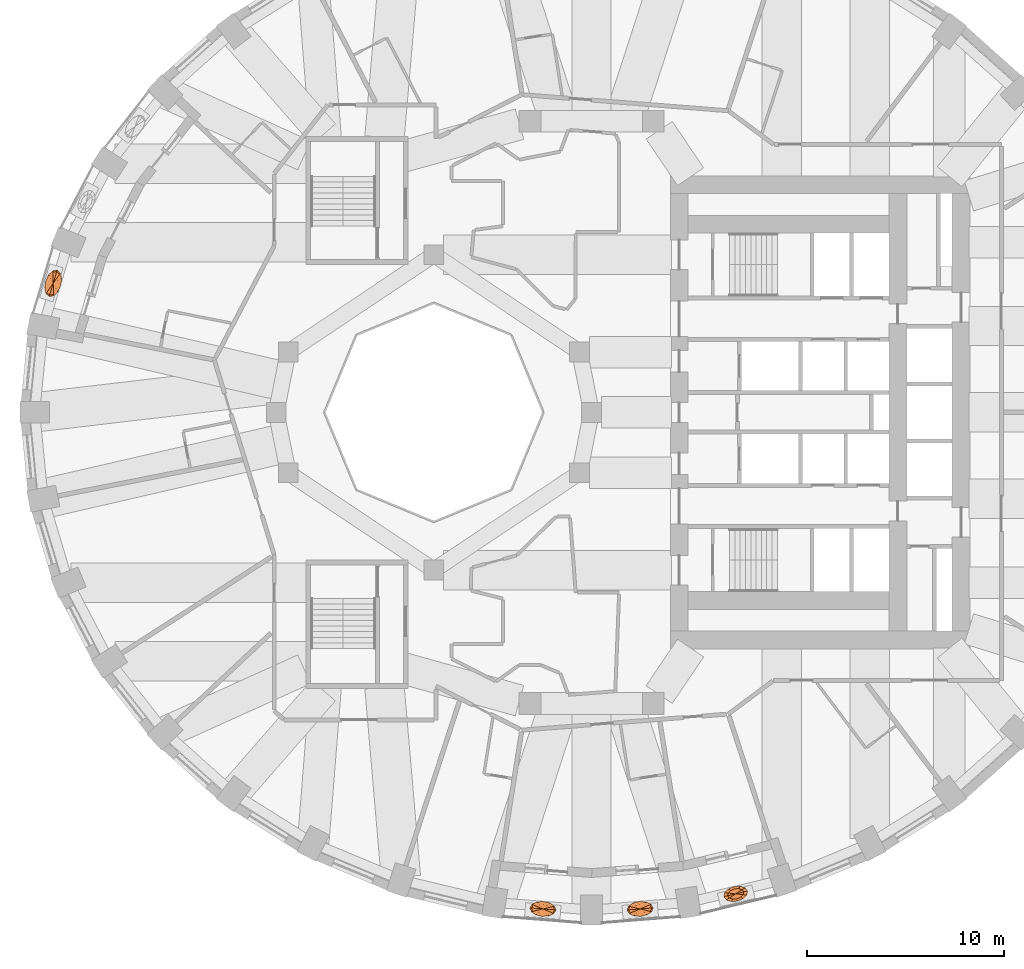
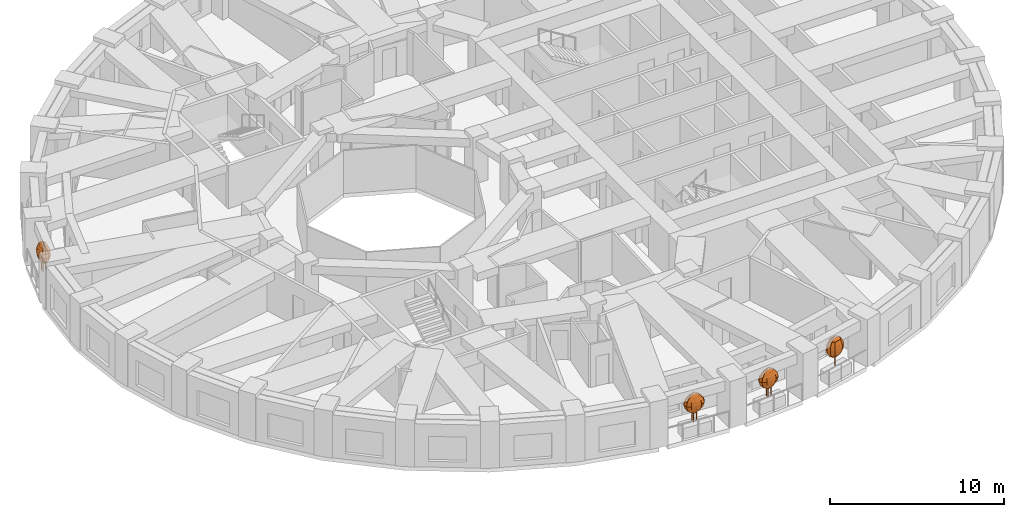
# One storey, part 12 of 13: 4 geographic elements.
"""IFC4 building model written with IfcOpenShell, lengths in metres."""

from ifc_helpers import new_model, si_unit, direction, frame, origin, place, context, subcontext, project, spatial, faceted_brep, material, constituent, constituent_set, type_object, element, save


model = new_model("IFC4")

# Units and contexts
model_context = context("Model", 3, precision=1e-05, world=origin(), true_north=direction((0.0, 1.0)))
body_context = subcontext(model_context, "Body", "Model", "MODEL_VIEW")
ifc_project = project(units=[si_unit("LENGTHUNIT", "METRE"), si_unit("AREAUNIT", "SQUARE_METRE"), si_unit("VOLUMEUNIT", "CUBIC_METRE"), si_unit("PLANEANGLEUNIT", "RADIAN"), si_unit("MASSUNIT", "GRAM", prefix="KILO")], contexts=[model_context])

# Site, building, storey
site_placement = place(None, origin())
site = spatial("IfcSite", under=ifc_project, at=site_placement, CompositionType="ELEMENT")
building_placement = place(site_placement, origin())
building = spatial("IfcBuilding", under=site, at=building_placement, Name="Taillehof Tower", CompositionType="ELEMENT")
storey_placement = place(building_placement, frame((0.0, 0.0, 38.199951171875)))
storey = spatial("IfcBuildingStorey", under=building, at=storey_placement, Name="L09", CompositionType="ELEMENT", Elevation=38.199951171875)

# Geographic elements
ifc_material_1 = material(Name="Tree bark", Category="timber")
ifc_constituent_1 = constituent(ifc_material_1, Name="Trunk", Category="timber")
ifc_material_2 = material(Name="Tree foliage")
ifc_constituent_2 = constituent(ifc_material_2, Name="Crown")
ifc_constituent_set_1 = constituent_set(constituents=[ifc_constituent_1, ifc_constituent_2], Name="Tree TR1 Columnar hornbeam")
geographic_element_type_1 = type_object("IfcGeographicElementType", Name="Tree TR1 Columnar hornbeam", PredefinedType="USERDEFINED", material=ifc_constituent_set_1)
geographic_element_1_placement = place(storey_placement, frame((7.31640625, -24.430419921875, 0.75)))
element("IfcGeographicElement", 1, at=geographic_element_1_placement, inside=storey, type_object=geographic_element_type_1, Name="Tree TR1 Columnar hornbeam", ObjectType="TREE", PredefinedType="USERDEFINED", context=body_context, shape_type="Brep", body=[
    faceted_brep([(0.030029296875, 0.0, 0.0), (0.021240234375, 0.021240234375, 0.0), (0.021240234375, 0.021240234375, 1.092529296875), (0.030029296875, 0.0, 1.092529296875), (0.0, 0.030029296875, 0.0), (0.0, 0.030029296875, 1.092529296875), (-0.021240234375, 0.021240234375, 0.0), (-0.021240234375, 0.021240234375, 1.092529296875), (-0.030029296875, 0.0, 0.0), (-0.030029296875, 0.0, 1.092529296875), (-0.021240234375, -0.021240234375, 0.0), (-0.021240234375, -0.021240234375, 1.092529296875), (0.0, -0.030029296875, 0.0), (0.0, -0.030029296875, 1.092529296875), (0.021240234375, -0.021240234375, 0.0), (0.021240234375, -0.021240234375, 1.092529296875)], [[[0, 1, 2, 3]], [[1, 4, 5, 2]], [[4, 6, 7, 5]], [[6, 8, 9, 7]], [[8, 10, 11, 9]], [[10, 12, 13, 11]], [[12, 14, 15, 13]], [[14, 0, 3, 15]], [[14, 12, 10, 8, 6, 4, 1, 0]], [[3, 2, 5, 7, 9, 11, 13, 15]]]),
    faceted_brep([(0.0, 0.0, 0.550048828125), (0.324951171875, 0.211181640625, 0.808349609375), (0.41015625, 0.09814453125, 0.808349609375), (0.15283203125, 0.267822265625, 0.808349609375), (-0.060546875, 0.25244140625, 0.808349609375), (-0.25732421875, 0.16943359375, 0.808349609375), (-0.385498046875, 0.041015625, 0.808349609375), (-0.41015625, -0.09814453125, 0.808349609375), (-0.324951171875, -0.211181640625, 0.808349609375), (-0.15283203125, -0.267822265625, 0.808349609375), (0.060546875, -0.25244140625, 0.808349609375), (0.25732421875, -0.16943359375, 0.808349609375), (0.385498046875, -0.041015625, 0.808349609375), (0.439697265625, 0.285888671875, 1.066650390625), (0.554931640625, 0.1328125, 1.066650390625), (0.20654296875, 0.362060546875, 1.066650390625), (-0.081787109375, 0.341552734375, 1.066650390625), (-0.34814453125, 0.229248046875, 1.066650390625), (-0.521484375, 0.0556640625, 1.066650390625), (-0.554931640625, -0.1328125, 1.066650390625), (-0.439697265625, -0.285888671875, 1.066650390625), (-0.20654296875, -0.362060546875, 1.066650390625), (0.081787109375, -0.341552734375, 1.066650390625), (0.34814453125, -0.229248046875, 1.066650390625), (0.521484375, -0.0556640625, 1.066650390625), (0.475830078125, 0.309326171875, 1.324951171875), (0.6005859375, 0.143798828125, 1.324951171875), (0.2236328125, 0.391845703125, 1.324951171875), (-0.088623046875, 0.36962890625, 1.324951171875), (-0.376953125, 0.248046875, 1.324951171875), (-0.564208984375, 0.060302734375, 1.324951171875), (-0.6005859375, -0.143798828125, 1.324951171875), (-0.475830078125, -0.309326171875, 1.324951171875), (-0.2236328125, -0.391845703125, 1.324951171875), (0.088623046875, -0.36962890625, 1.324951171875), (0.376953125, -0.248046875, 1.324951171875), (0.564208984375, -0.060302734375, 1.324951171875), (0.439697265625, 0.285888671875, 1.583251953125), (0.554931640625, 0.1328125, 1.583251953125), (0.20654296875, 0.362060546875, 1.583251953125), (-0.081787109375, 0.341552734375, 1.583251953125), (-0.34814453125, 0.229248046875, 1.583251953125), (-0.521484375, 0.0556640625, 1.583251953125), (-0.554931640625, -0.1328125, 1.583251953125), (-0.439697265625, -0.285888671875, 1.583251953125), (-0.20654296875, -0.362060546875, 1.583251953125), (0.081787109375, -0.341552734375, 1.583251953125), (0.34814453125, -0.229248046875, 1.583251953125), (0.521484375, -0.0556640625, 1.583251953125), (0.324951171875, 0.211181640625, 1.841552734375), (0.41015625, 0.09814453125, 1.841552734375), (0.15283203125, 0.267822265625, 1.841552734375), (-0.060546875, 0.25244140625, 1.841552734375), (-0.25732421875, 0.16943359375, 1.841552734375), (-0.385498046875, 0.041015625, 1.841552734375), (-0.41015625, -0.09814453125, 1.841552734375), (-0.324951171875, -0.211181640625, 1.841552734375), (-0.15283203125, -0.267822265625, 1.841552734375), (0.060546875, -0.25244140625, 1.841552734375), (0.25732421875, -0.16943359375, 1.841552734375), (0.385498046875, -0.041015625, 1.841552734375), (0.0, 0.0, 2.10009765625)], [[[0, 1, 2]], [[0, 3, 1]], [[0, 4, 3]], [[0, 5, 4]], [[0, 6, 5]], [[0, 7, 6]], [[0, 8, 7]], [[0, 9, 8]], [[0, 10, 9]], [[0, 11, 10]], [[0, 12, 11]], [[0, 2, 12]], [[2, 1, 13, 14]], [[1, 3, 15, 13]], [[3, 4, 16, 15]], [[4, 5, 17, 16]], [[5, 6, 18, 17]], [[6, 7, 19, 18]], [[7, 8, 20, 19]], [[8, 9, 21, 20]], [[9, 10, 22, 21]], [[10, 11, 23, 22]], [[11, 12, 24, 23]], [[12, 2, 14, 24]], [[14, 13, 25, 26]], [[13, 15, 27, 25]], [[15, 16, 28, 27]], [[16, 17, 29, 28]], [[17, 18, 30, 29]], [[18, 19, 31, 30]], [[19, 20, 32, 31]], [[20, 21, 33, 32]], [[21, 22, 34, 33]], [[22, 23, 35, 34]], [[23, 24, 36, 35]], [[24, 14, 26, 36]], [[26, 25, 37, 38]], [[25, 27, 39, 37]], [[27, 28, 40, 39]], [[28, 29, 41, 40]], [[29, 30, 42, 41]], [[30, 31, 43, 42]], [[31, 32, 44, 43]], [[32, 33, 45, 44]], [[33, 34, 46, 45]], [[34, 35, 47, 46]], [[35, 36, 48, 47]], [[36, 26, 38, 48]], [[38, 37, 49, 50]], [[37, 39, 51, 49]], [[39, 40, 52, 51]], [[40, 41, 53, 52]], [[41, 42, 54, 53]], [[42, 43, 55, 54]], [[43, 44, 56, 55]], [[44, 45, 57, 56]], [[45, 46, 58, 57]], [[46, 47, 59, 58]], [[47, 48, 60, 59]], [[48, 38, 50, 60]], [[50, 49, 61]], [[49, 51, 61]], [[51, 52, 61]], [[52, 53, 61]], [[53, 54, 61]], [[54, 55, 61]], [[55, 56, 61]], [[56, 57, 61]], [[57, 58, 61]], [[58, 59, 61]], [[59, 60, 61]], [[60, 50, 61]]]),
])
ifc_material_3 = material(Name="Tree bark", Category="timber")
ifc_constituent_3 = constituent(ifc_material_3, Name="Trunk", Category="timber")
ifc_material_4 = material(Name="Tree foliage")
ifc_constituent_4 = constituent(ifc_material_4, Name="Crown")
ifc_constituent_set_2 = constituent_set(constituents=[ifc_constituent_3, ifc_constituent_4], Name="Tree TR3 Multi-stem serviceberry")
geographic_element_type_2 = type_object("IfcGeographicElementType", Name="Tree TR3 Multi-stem serviceberry", PredefinedType="USERDEFINED", material=ifc_constituent_set_2)
geographic_element_2_placement = place(storey_placement, frame((-27.314697265625, 6.548583984375, 0.75)))
element("IfcGeographicElement", 2, at=geographic_element_2_placement, inside=storey, type_object=geographic_element_type_2, Name="Tree TR3 Multi-stem serviceberry", ObjectType="TREE", PredefinedType="USERDEFINED", context=body_context, shape_type="Brep", body=[
    faceted_brep([(0.203857421875, 0.0, 0.0), (0.1953125, 0.0205078125, 0.0), (0.1953125, 0.0205078125, 1.04248046875), (0.203857421875, 0.0, 1.04248046875), (0.175048828125, 0.02880859375, 0.0), (0.175048828125, 0.02880859375, 1.04248046875), (0.154541015625, 0.0205078125, 0.0), (0.154541015625, 0.0205078125, 1.04248046875), (0.146240234375, 0.0, 0.0), (0.146240234375, 0.0, 1.04248046875), (0.154541015625, -0.0205078125, 0.0), (0.154541015625, -0.0205078125, 1.04248046875), (0.175048828125, -0.02880859375, 0.0), (0.175048828125, -0.02880859375, 1.04248046875), (0.1953125, -0.0205078125, 0.0), (0.1953125, -0.0205078125, 1.04248046875)], [[[0, 1, 2, 3]], [[1, 4, 5, 2]], [[4, 6, 7, 5]], [[6, 8, 9, 7]], [[8, 10, 11, 9]], [[10, 12, 13, 11]], [[12, 14, 15, 13]], [[14, 0, 3, 15]], [[14, 12, 10, 8, 6, 4, 1, 0]], [[3, 2, 5, 7, 9, 11, 13, 15]]]),
    faceted_brep([(-0.05859375, 0.086669921875, 0.0), (-0.067138671875, 0.10693359375, 0.0), (-0.067138671875, 0.10693359375, 1.04248046875), (-0.05859375, 0.086669921875, 1.04248046875), (-0.08740234375, 0.115478515625, 0.0), (-0.08740234375, 0.115478515625, 1.04248046875), (-0.10791015625, 0.10693359375, 0.0), (-0.10791015625, 0.10693359375, 1.04248046875), (-0.116455078125, 0.086669921875, 0.0), (-0.116455078125, 0.086669921875, 1.04248046875), (-0.10791015625, 0.066162109375, 0.0), (-0.10791015625, 0.066162109375, 1.04248046875), (-0.08740234375, 0.0576171875, 0.0), (-0.08740234375, 0.0576171875, 1.04248046875), (-0.067138671875, 0.066162109375, 0.0), (-0.067138671875, 0.066162109375, 1.04248046875)], [[[0, 1, 2, 3]], [[1, 4, 5, 2]], [[4, 6, 7, 5]], [[6, 8, 9, 7]], [[8, 10, 11, 9]], [[10, 12, 13, 11]], [[12, 14, 15, 13]], [[14, 0, 3, 15]], [[14, 12, 10, 8, 6, 4, 1, 0]], [[3, 2, 5, 7, 9, 11, 13, 15]]]),
    faceted_brep([(-0.05859375, -0.086669921875, 0.0), (-0.067138671875, -0.066162109375, 0.0), (-0.067138671875, -0.066162109375, 1.04248046875), (-0.05859375, -0.086669921875, 1.04248046875), (-0.08740234375, -0.0576171875, 0.0), (-0.08740234375, -0.0576171875, 1.04248046875), (-0.10791015625, -0.066162109375, 0.0), (-0.10791015625, -0.066162109375, 1.04248046875), (-0.116455078125, -0.086669921875, 0.0), (-0.116455078125, -0.086669921875, 1.04248046875), (-0.10791015625, -0.10693359375, 0.0), (-0.10791015625, -0.10693359375, 1.04248046875), (-0.08740234375, -0.115478515625, 0.0), (-0.08740234375, -0.115478515625, 1.04248046875), (-0.067138671875, -0.10693359375, 0.0), (-0.067138671875, -0.10693359375, 1.04248046875)], [[[0, 1, 2, 3]], [[1, 4, 5, 2]], [[4, 6, 7, 5]], [[6, 8, 9, 7]], [[8, 10, 11, 9]], [[10, 12, 13, 11]], [[12, 14, 15, 13]], [[14, 0, 3, 15]], [[14, 12, 10, 8, 6, 4, 1, 0]], [[3, 2, 5, 7, 9, 11, 13, 15]]]),
    faceted_brep([(0.0, 0.0, 0.5), (0.010009765625, -0.366455078125, 0.75830078125), (-0.115478515625, -0.385009765625, 0.75830078125), (0.1328125, -0.249755859375, 0.75830078125), (0.219970703125, -0.06591796875, 0.75830078125), (0.248291015625, 0.135498046875, 0.75830078125), (0.2099609375, 0.300537109375, 0.75830078125), (0.115478515625, 0.385009765625, 0.75830078125), (-0.010009765625, 0.366455078125, 0.75830078125), (-0.1328125, 0.249755859375, 0.75830078125), (-0.219970703125, 0.06591796875, 0.75830078125), (-0.248291015625, -0.135498046875, 0.75830078125), (-0.2099609375, -0.300537109375, 0.75830078125), (0.015625, -0.56884765625, 1.0166015625), (-0.17919921875, -0.59765625, 1.0166015625), (0.206298828125, -0.387451171875, 1.0166015625), (0.341552734375, -0.102294921875, 1.0166015625), (0.38525390625, 0.210205078125, 1.0166015625), (0.325927734375, 0.46630859375, 1.0166015625), (0.17919921875, 0.59765625, 1.0166015625), (-0.015625, 0.56884765625, 1.0166015625), (-0.206298828125, 0.387451171875, 1.0166015625), (-0.341552734375, 0.102294921875, 1.0166015625), (-0.38525390625, -0.210205078125, 1.0166015625), (-0.325927734375, -0.46630859375, 1.0166015625), (0.017578125, -0.63818359375, 1.27490234375), (-0.200927734375, -0.67041015625, 1.27490234375), (0.2314453125, -0.434814453125, 1.27490234375), (0.383056640625, -0.11474609375, 1.27490234375), (0.432373046875, 0.23583984375, 1.27490234375), (0.36572265625, 0.523193359375, 1.27490234375), (0.200927734375, 0.67041015625, 1.27490234375), (-0.017578125, 0.63818359375, 1.27490234375), (-0.2314453125, 0.434814453125, 1.27490234375), (-0.383056640625, 0.11474609375, 1.27490234375), (-0.432373046875, -0.23583984375, 1.27490234375), (-0.36572265625, -0.523193359375, 1.27490234375), (0.015625, -0.56884765625, 1.533447265625), (-0.17919921875, -0.59765625, 1.533447265625), (0.206298828125, -0.387451171875, 1.533447265625), (0.341552734375, -0.102294921875, 1.533447265625), (0.38525390625, 0.210205078125, 1.533447265625), (0.325927734375, 0.46630859375, 1.533447265625), (0.17919921875, 0.59765625, 1.533447265625), (-0.015625, 0.56884765625, 1.533447265625), (-0.206298828125, 0.387451171875, 1.533447265625), (-0.341552734375, 0.102294921875, 1.533447265625), (-0.38525390625, -0.210205078125, 1.533447265625), (-0.325927734375, -0.46630859375, 1.533447265625), (0.010009765625, -0.366455078125, 1.791748046875), (-0.115478515625, -0.385009765625, 1.791748046875), (0.1328125, -0.249755859375, 1.791748046875), (0.219970703125, -0.06591796875, 1.791748046875), (0.248291015625, 0.135498046875, 1.791748046875), (0.2099609375, 0.300537109375, 1.791748046875), (0.115478515625, 0.385009765625, 1.791748046875), (-0.010009765625, 0.366455078125, 1.791748046875), (-0.1328125, 0.249755859375, 1.791748046875), (-0.219970703125, 0.06591796875, 1.791748046875), (-0.248291015625, -0.135498046875, 1.791748046875), (-0.2099609375, -0.300537109375, 1.791748046875), (0.0, 0.0, 2.050048828125)], [[[0, 1, 2]], [[0, 3, 1]], [[0, 4, 3]], [[0, 5, 4]], [[0, 6, 5]], [[0, 7, 6]], [[0, 8, 7]], [[0, 9, 8]], [[0, 10, 9]], [[0, 11, 10]], [[0, 12, 11]], [[0, 2, 12]], [[2, 1, 13, 14]], [[1, 3, 15, 13]], [[3, 4, 16, 15]], [[4, 5, 17, 16]], [[5, 6, 18, 17]], [[6, 7, 19, 18]], [[7, 8, 20, 19]], [[8, 9, 21, 20]], [[9, 10, 22, 21]], [[10, 11, 23, 22]], [[11, 12, 24, 23]], [[12, 2, 14, 24]], [[14, 13, 25, 26]], [[13, 15, 27, 25]], [[15, 16, 28, 27]], [[16, 17, 29, 28]], [[17, 18, 30, 29]], [[18, 19, 31, 30]], [[19, 20, 32, 31]], [[20, 21, 33, 32]], [[21, 22, 34, 33]], [[22, 23, 35, 34]], [[23, 24, 36, 35]], [[24, 14, 26, 36]], [[26, 25, 37, 38]], [[25, 27, 39, 37]], [[27, 28, 40, 39]], [[28, 29, 41, 40]], [[29, 30, 42, 41]], [[30, 31, 43, 42]], [[31, 32, 44, 43]], [[32, 33, 45, 44]], [[33, 34, 46, 45]], [[34, 35, 47, 46]], [[35, 36, 48, 47]], [[36, 26, 38, 48]], [[38, 37, 49, 50]], [[37, 39, 51, 49]], [[39, 40, 52, 51]], [[40, 41, 53, 52]], [[41, 42, 54, 53]], [[42, 43, 55, 54]], [[43, 44, 56, 55]], [[44, 45, 57, 56]], [[45, 46, 58, 57]], [[46, 47, 59, 58]], [[47, 48, 60, 59]], [[48, 38, 50, 60]], [[50, 49, 61]], [[49, 51, 61]], [[51, 52, 61]], [[52, 53, 61]], [[53, 54, 61]], [[54, 55, 61]], [[55, 56, 61]], [[56, 57, 61]], [[57, 58, 61]], [[58, 59, 61]], [[59, 60, 61]], [[60, 50, 61]]]),
])
geographic_element_3_placement = place(storey_placement, frame((-2.463623046875, -25.195556640625, 0.75)))
element("IfcGeographicElement", 3, at=geographic_element_3_placement, inside=storey, type_object=geographic_element_type_2, Name="Tree TR3 Multi-stem serviceberry", ObjectType="TREE", PredefinedType="USERDEFINED", context=body_context, shape_type="Brep", body=[
    faceted_brep([(0.195068359375, 0.0, 0.0), (0.186767578125, 0.0205078125, 0.0), (0.186767578125, 0.0205078125, 1.04248046875), (0.195068359375, 0.0, 1.04248046875), (0.166259765625, 0.02880859375, 0.0), (0.166259765625, 0.02880859375, 1.04248046875), (0.145751953125, 0.0205078125, 0.0), (0.145751953125, 0.0205078125, 1.04248046875), (0.137451171875, 0.0, 0.0), (0.137451171875, 0.0, 1.04248046875), (0.145751953125, -0.0205078125, 0.0), (0.145751953125, -0.0205078125, 1.04248046875), (0.166259765625, -0.02880859375, 0.0), (0.166259765625, -0.02880859375, 1.04248046875), (0.186767578125, -0.0205078125, 0.0), (0.186767578125, -0.0205078125, 1.04248046875)], [[[0, 1, 2, 3]], [[1, 4, 5, 2]], [[4, 6, 7, 5]], [[6, 8, 9, 7]], [[8, 10, 11, 9]], [[10, 12, 13, 11]], [[12, 14, 15, 13]], [[14, 0, 3, 15]], [[14, 12, 10, 8, 6, 4, 1, 0]], [[3, 2, 5, 7, 9, 11, 13, 15]]]),
    faceted_brep([(-0.05419921875, 0.082275390625, 0.0), (-0.062744140625, 0.102783203125, 0.0), (-0.062744140625, 0.102783203125, 1.04248046875), (-0.05419921875, 0.082275390625, 1.04248046875), (-0.0830078125, 0.111083984375, 0.0), (-0.0830078125, 0.111083984375, 1.04248046875), (-0.103515625, 0.102783203125, 0.0), (-0.103515625, 0.102783203125, 1.04248046875), (-0.112060546875, 0.082275390625, 0.0), (-0.112060546875, 0.082275390625, 1.04248046875), (-0.103515625, 0.061767578125, 0.0), (-0.103515625, 0.061767578125, 1.04248046875), (-0.0830078125, 0.053466796875, 0.0), (-0.0830078125, 0.053466796875, 1.04248046875), (-0.062744140625, 0.061767578125, 0.0), (-0.062744140625, 0.061767578125, 1.04248046875)], [[[0, 1, 2, 3]], [[1, 4, 5, 2]], [[4, 6, 7, 5]], [[6, 8, 9, 7]], [[8, 10, 11, 9]], [[10, 12, 13, 11]], [[12, 14, 15, 13]], [[14, 0, 3, 15]], [[14, 12, 10, 8, 6, 4, 1, 0]], [[3, 2, 5, 7, 9, 11, 13, 15]]]),
    faceted_brep([(-0.05419921875, -0.082275390625, 0.0), (-0.062744140625, -0.061767578125, 0.0), (-0.062744140625, -0.061767578125, 1.04248046875), (-0.05419921875, -0.082275390625, 1.04248046875), (-0.0830078125, -0.053466796875, 0.0), (-0.0830078125, -0.053466796875, 1.04248046875), (-0.103515625, -0.061767578125, 0.0), (-0.103515625, -0.061767578125, 1.04248046875), (-0.112060546875, -0.082275390625, 0.0), (-0.112060546875, -0.082275390625, 1.04248046875), (-0.103515625, -0.102783203125, 0.0), (-0.103515625, -0.102783203125, 1.04248046875), (-0.0830078125, -0.111083984375, 0.0), (-0.0830078125, -0.111083984375, 1.04248046875), (-0.062744140625, -0.102783203125, 0.0), (-0.062744140625, -0.102783203125, 1.04248046875)], [[[0, 1, 2, 3]], [[1, 4, 5, 2]], [[4, 6, 7, 5]], [[6, 8, 9, 7]], [[8, 10, 11, 9]], [[10, 12, 13, 11]], [[12, 14, 15, 13]], [[14, 0, 3, 15]], [[14, 12, 10, 8, 6, 4, 1, 0]], [[3, 2, 5, 7, 9, 11, 13, 15]]]),
    faceted_brep([(0.0, 0.0, 0.5), (0.33837890625, 0.0830078125, 0.75830078125), (0.380859375, -0.02978515625, 0.75830078125), (0.205078125, 0.173583984375, 0.75830078125), (0.01708984375, 0.217529296875, 0.75830078125), (-0.175537109375, 0.203369140625, 0.75830078125), (-0.3212890625, 0.134521484375, 0.75830078125), (-0.380859375, 0.02978515625, 0.75830078125), (-0.33837890625, -0.0830078125, 0.75830078125), (-0.205078125, -0.173583984375, 0.75830078125), (-0.01708984375, -0.217529296875, 0.75830078125), (0.175537109375, -0.203369140625, 0.75830078125), (0.3212890625, -0.134521484375, 0.75830078125), (0.52490234375, 0.12890625, 1.0166015625), (0.5908203125, -0.046142578125, 1.0166015625), (0.318359375, 0.269287109375, 1.0166015625), (0.0263671875, 0.337646484375, 1.0166015625), (-0.272705078125, 0.3154296875, 1.0166015625), (-0.49853515625, 0.208740234375, 1.0166015625), (-0.5908203125, 0.046142578125, 1.0166015625), (-0.52490234375, -0.12890625, 1.0166015625), (-0.318359375, -0.269287109375, 1.0166015625), (-0.0263671875, -0.337646484375, 1.0166015625), (0.272705078125, -0.3154296875, 1.0166015625), (0.49853515625, -0.208740234375, 1.0166015625), (0.5888671875, 0.14453125, 1.27490234375), (0.6630859375, -0.0517578125, 1.27490234375), (0.357177734375, 0.30224609375, 1.27490234375), (0.029541015625, 0.37890625, 1.27490234375), (-0.305908203125, 0.35400390625, 1.27490234375), (-0.559326171875, 0.234375, 1.27490234375), (-0.6630859375, 0.0517578125, 1.27490234375), (-0.5888671875, -0.14453125, 1.27490234375), (-0.357177734375, -0.30224609375, 1.27490234375), (-0.029541015625, -0.37890625, 1.27490234375), (0.305908203125, -0.35400390625, 1.27490234375), (0.559326171875, -0.234375, 1.27490234375), (0.52490234375, 0.12890625, 1.533447265625), (0.5908203125, -0.046142578125, 1.533447265625), (0.318359375, 0.269287109375, 1.533447265625), (0.0263671875, 0.337646484375, 1.533447265625), (-0.272705078125, 0.3154296875, 1.533447265625), (-0.49853515625, 0.208740234375, 1.533447265625), (-0.5908203125, 0.046142578125, 1.533447265625), (-0.52490234375, -0.12890625, 1.533447265625), (-0.318359375, -0.269287109375, 1.533447265625), (-0.0263671875, -0.337646484375, 1.533447265625), (0.272705078125, -0.3154296875, 1.533447265625), (0.49853515625, -0.208740234375, 1.533447265625), (0.33837890625, 0.0830078125, 1.791748046875), (0.380859375, -0.02978515625, 1.791748046875), (0.205078125, 0.173583984375, 1.791748046875), (0.01708984375, 0.217529296875, 1.791748046875), (-0.175537109375, 0.203369140625, 1.791748046875), (-0.3212890625, 0.134521484375, 1.791748046875), (-0.380859375, 0.02978515625, 1.791748046875), (-0.33837890625, -0.0830078125, 1.791748046875), (-0.205078125, -0.173583984375, 1.791748046875), (-0.01708984375, -0.217529296875, 1.791748046875), (0.175537109375, -0.203369140625, 1.791748046875), (0.3212890625, -0.134521484375, 1.791748046875), (0.0, 0.0, 2.050048828125)], [[[0, 1, 2]], [[0, 3, 1]], [[0, 4, 3]], [[0, 5, 4]], [[0, 6, 5]], [[0, 7, 6]], [[0, 8, 7]], [[0, 9, 8]], [[0, 10, 9]], [[0, 11, 10]], [[0, 12, 11]], [[0, 2, 12]], [[2, 1, 13, 14]], [[1, 3, 15, 13]], [[3, 4, 16, 15]], [[4, 5, 17, 16]], [[5, 6, 18, 17]], [[6, 7, 19, 18]], [[7, 8, 20, 19]], [[8, 9, 21, 20]], [[9, 10, 22, 21]], [[10, 11, 23, 22]], [[11, 12, 24, 23]], [[12, 2, 14, 24]], [[14, 13, 25, 26]], [[13, 15, 27, 25]], [[15, 16, 28, 27]], [[16, 17, 29, 28]], [[17, 18, 30, 29]], [[18, 19, 31, 30]], [[19, 20, 32, 31]], [[20, 21, 33, 32]], [[21, 22, 34, 33]], [[22, 23, 35, 34]], [[23, 24, 36, 35]], [[24, 14, 26, 36]], [[26, 25, 37, 38]], [[25, 27, 39, 37]], [[27, 28, 40, 39]], [[28, 29, 41, 40]], [[29, 30, 42, 41]], [[30, 31, 43, 42]], [[31, 32, 44, 43]], [[32, 33, 45, 44]], [[33, 34, 46, 45]], [[34, 35, 47, 46]], [[35, 36, 48, 47]], [[36, 26, 38, 48]], [[38, 37, 49, 50]], [[37, 39, 51, 49]], [[39, 40, 52, 51]], [[40, 41, 53, 52]], [[41, 42, 54, 53]], [[42, 43, 55, 54]], [[43, 44, 56, 55]], [[44, 45, 57, 56]], [[45, 46, 58, 57]], [[46, 47, 59, 58]], [[47, 48, 60, 59]], [[48, 38, 50, 60]], [[50, 49, 61]], [[49, 51, 61]], [[51, 52, 61]], [[52, 53, 61]], [[53, 54, 61]], [[54, 55, 61]], [[55, 56, 61]], [[56, 57, 61]], [[57, 58, 61]], [[58, 59, 61]], [[59, 60, 61]], [[60, 50, 61]]]),
])
geographic_element_4_placement = place(storey_placement, frame((2.463623046875, -25.195556640625, 0.75)))
element("IfcGeographicElement", 4, at=geographic_element_4_placement, inside=storey, type_object=geographic_element_type_2, Name="Tree TR3 Multi-stem serviceberry", ObjectType="TREE", PredefinedType="USERDEFINED", context=body_context, shape_type="Brep", body=[
    faceted_brep([(0.195068359375, 0.0, 0.0), (0.186767578125, 0.0205078125, 0.0), (0.186767578125, 0.0205078125, 1.04248046875), (0.195068359375, 0.0, 1.04248046875), (0.166259765625, 0.02880859375, 0.0), (0.166259765625, 0.02880859375, 1.04248046875), (0.145751953125, 0.0205078125, 0.0), (0.145751953125, 0.0205078125, 1.04248046875), (0.137451171875, 0.0, 0.0), (0.137451171875, 0.0, 1.04248046875), (0.145751953125, -0.0205078125, 0.0), (0.145751953125, -0.0205078125, 1.04248046875), (0.166259765625, -0.02880859375, 0.0), (0.166259765625, -0.02880859375, 1.04248046875), (0.186767578125, -0.0205078125, 0.0), (0.186767578125, -0.0205078125, 1.04248046875)], [[[0, 1, 2, 3]], [[1, 4, 5, 2]], [[4, 6, 7, 5]], [[6, 8, 9, 7]], [[8, 10, 11, 9]], [[10, 12, 13, 11]], [[12, 14, 15, 13]], [[14, 0, 3, 15]], [[14, 12, 10, 8, 6, 4, 1, 0]], [[3, 2, 5, 7, 9, 11, 13, 15]]]),
    faceted_brep([(-0.05419921875, 0.082275390625, 0.0), (-0.062744140625, 0.102783203125, 0.0), (-0.062744140625, 0.102783203125, 1.04248046875), (-0.05419921875, 0.082275390625, 1.04248046875), (-0.0830078125, 0.111083984375, 0.0), (-0.0830078125, 0.111083984375, 1.04248046875), (-0.103515625, 0.102783203125, 0.0), (-0.103515625, 0.102783203125, 1.04248046875), (-0.112060546875, 0.082275390625, 0.0), (-0.112060546875, 0.082275390625, 1.04248046875), (-0.103515625, 0.061767578125, 0.0), (-0.103515625, 0.061767578125, 1.04248046875), (-0.0830078125, 0.053466796875, 0.0), (-0.0830078125, 0.053466796875, 1.04248046875), (-0.062744140625, 0.061767578125, 0.0), (-0.062744140625, 0.061767578125, 1.04248046875)], [[[0, 1, 2, 3]], [[1, 4, 5, 2]], [[4, 6, 7, 5]], [[6, 8, 9, 7]], [[8, 10, 11, 9]], [[10, 12, 13, 11]], [[12, 14, 15, 13]], [[14, 0, 3, 15]], [[14, 12, 10, 8, 6, 4, 1, 0]], [[3, 2, 5, 7, 9, 11, 13, 15]]]),
    faceted_brep([(-0.05419921875, -0.082275390625, 0.0), (-0.062744140625, -0.061767578125, 0.0), (-0.062744140625, -0.061767578125, 1.04248046875), (-0.05419921875, -0.082275390625, 1.04248046875), (-0.0830078125, -0.053466796875, 0.0), (-0.0830078125, -0.053466796875, 1.04248046875), (-0.103515625, -0.061767578125, 0.0), (-0.103515625, -0.061767578125, 1.04248046875), (-0.112060546875, -0.082275390625, 0.0), (-0.112060546875, -0.082275390625, 1.04248046875), (-0.103515625, -0.102783203125, 0.0), (-0.103515625, -0.102783203125, 1.04248046875), (-0.0830078125, -0.111083984375, 0.0), (-0.0830078125, -0.111083984375, 1.04248046875), (-0.062744140625, -0.102783203125, 0.0), (-0.062744140625, -0.102783203125, 1.04248046875)], [[[0, 1, 2, 3]], [[1, 4, 5, 2]], [[4, 6, 7, 5]], [[6, 8, 9, 7]], [[8, 10, 11, 9]], [[10, 12, 13, 11]], [[12, 14, 15, 13]], [[14, 0, 3, 15]], [[14, 12, 10, 8, 6, 4, 1, 0]], [[3, 2, 5, 7, 9, 11, 13, 15]]]),
    faceted_brep([(0.0, 0.0, 0.5), (0.3212890625, 0.134521484375, 0.75830078125), (0.380859375, 0.02978515625, 0.75830078125), (0.175537109375, 0.203369140625, 0.75830078125), (-0.01708984375, 0.217529296875, 0.75830078125), (-0.205078125, 0.173583984375, 0.75830078125), (-0.33837890625, 0.0830078125, 0.75830078125), (-0.380859375, -0.02978515625, 0.75830078125), (-0.3212890625, -0.134521484375, 0.75830078125), (-0.175537109375, -0.203369140625, 0.75830078125), (0.01708984375, -0.217529296875, 0.75830078125), (0.205078125, -0.173583984375, 0.75830078125), (0.33837890625, -0.0830078125, 0.75830078125), (0.49853515625, 0.208740234375, 1.0166015625), (0.5908203125, 0.046142578125, 1.0166015625), (0.272705078125, 0.3154296875, 1.0166015625), (-0.0263671875, 0.337646484375, 1.0166015625), (-0.318359375, 0.269287109375, 1.0166015625), (-0.52490234375, 0.12890625, 1.0166015625), (-0.5908203125, -0.046142578125, 1.0166015625), (-0.49853515625, -0.208740234375, 1.0166015625), (-0.272705078125, -0.3154296875, 1.0166015625), (0.0263671875, -0.337646484375, 1.0166015625), (0.318359375, -0.269287109375, 1.0166015625), (0.52490234375, -0.12890625, 1.0166015625), (0.559326171875, 0.234375, 1.27490234375), (0.6630859375, 0.0517578125, 1.27490234375), (0.305908203125, 0.35400390625, 1.27490234375), (-0.029541015625, 0.37890625, 1.27490234375), (-0.357177734375, 0.30224609375, 1.27490234375), (-0.5888671875, 0.14453125, 1.27490234375), (-0.6630859375, -0.0517578125, 1.27490234375), (-0.559326171875, -0.234375, 1.27490234375), (-0.305908203125, -0.35400390625, 1.27490234375), (0.029541015625, -0.37890625, 1.27490234375), (0.357177734375, -0.30224609375, 1.27490234375), (0.5888671875, -0.14453125, 1.27490234375), (0.49853515625, 0.208740234375, 1.533447265625), (0.5908203125, 0.046142578125, 1.533447265625), (0.272705078125, 0.3154296875, 1.533447265625), (-0.0263671875, 0.337646484375, 1.533447265625), (-0.318359375, 0.269287109375, 1.533447265625), (-0.52490234375, 0.12890625, 1.533447265625), (-0.5908203125, -0.046142578125, 1.533447265625), (-0.49853515625, -0.208740234375, 1.533447265625), (-0.272705078125, -0.3154296875, 1.533447265625), (0.0263671875, -0.337646484375, 1.533447265625), (0.318359375, -0.269287109375, 1.533447265625), (0.52490234375, -0.12890625, 1.533447265625), (0.3212890625, 0.134521484375, 1.791748046875), (0.380859375, 0.02978515625, 1.791748046875), (0.175537109375, 0.203369140625, 1.791748046875), (-0.01708984375, 0.217529296875, 1.791748046875), (-0.205078125, 0.173583984375, 1.791748046875), (-0.33837890625, 0.0830078125, 1.791748046875), (-0.380859375, -0.02978515625, 1.791748046875), (-0.3212890625, -0.134521484375, 1.791748046875), (-0.175537109375, -0.203369140625, 1.791748046875), (0.01708984375, -0.217529296875, 1.791748046875), (0.205078125, -0.173583984375, 1.791748046875), (0.33837890625, -0.0830078125, 1.791748046875), (0.0, 0.0, 2.050048828125)], [[[0, 1, 2]], [[0, 3, 1]], [[0, 4, 3]], [[0, 5, 4]], [[0, 6, 5]], [[0, 7, 6]], [[0, 8, 7]], [[0, 9, 8]], [[0, 10, 9]], [[0, 11, 10]], [[0, 12, 11]], [[0, 2, 12]], [[2, 1, 13, 14]], [[1, 3, 15, 13]], [[3, 4, 16, 15]], [[4, 5, 17, 16]], [[5, 6, 18, 17]], [[6, 7, 19, 18]], [[7, 8, 20, 19]], [[8, 9, 21, 20]], [[9, 10, 22, 21]], [[10, 11, 23, 22]], [[11, 12, 24, 23]], [[12, 2, 14, 24]], [[14, 13, 25, 26]], [[13, 15, 27, 25]], [[15, 16, 28, 27]], [[16, 17, 29, 28]], [[17, 18, 30, 29]], [[18, 19, 31, 30]], [[19, 20, 32, 31]], [[20, 21, 33, 32]], [[21, 22, 34, 33]], [[22, 23, 35, 34]], [[23, 24, 36, 35]], [[24, 14, 26, 36]], [[26, 25, 37, 38]], [[25, 27, 39, 37]], [[27, 28, 40, 39]], [[28, 29, 41, 40]], [[29, 30, 42, 41]], [[30, 31, 43, 42]], [[31, 32, 44, 43]], [[32, 33, 45, 44]], [[33, 34, 46, 45]], [[34, 35, 47, 46]], [[35, 36, 48, 47]], [[36, 26, 38, 48]], [[38, 37, 49, 50]], [[37, 39, 51, 49]], [[39, 40, 52, 51]], [[40, 41, 53, 52]], [[41, 42, 54, 53]], [[42, 43, 55, 54]], [[43, 44, 56, 55]], [[44, 45, 57, 56]], [[45, 46, 58, 57]], [[46, 47, 59, 58]], [[47, 48, 60, 59]], [[48, 38, 50, 60]], [[50, 49, 61]], [[49, 51, 61]], [[51, 52, 61]], [[52, 53, 61]], [[53, 54, 61]], [[54, 55, 61]], [[55, 56, 61]], [[56, 57, 61]], [[57, 58, 61]], [[58, 59, 61]], [[59, 60, 61]], [[60, 50, 61]]]),
])

save(model, "model.ifc")
